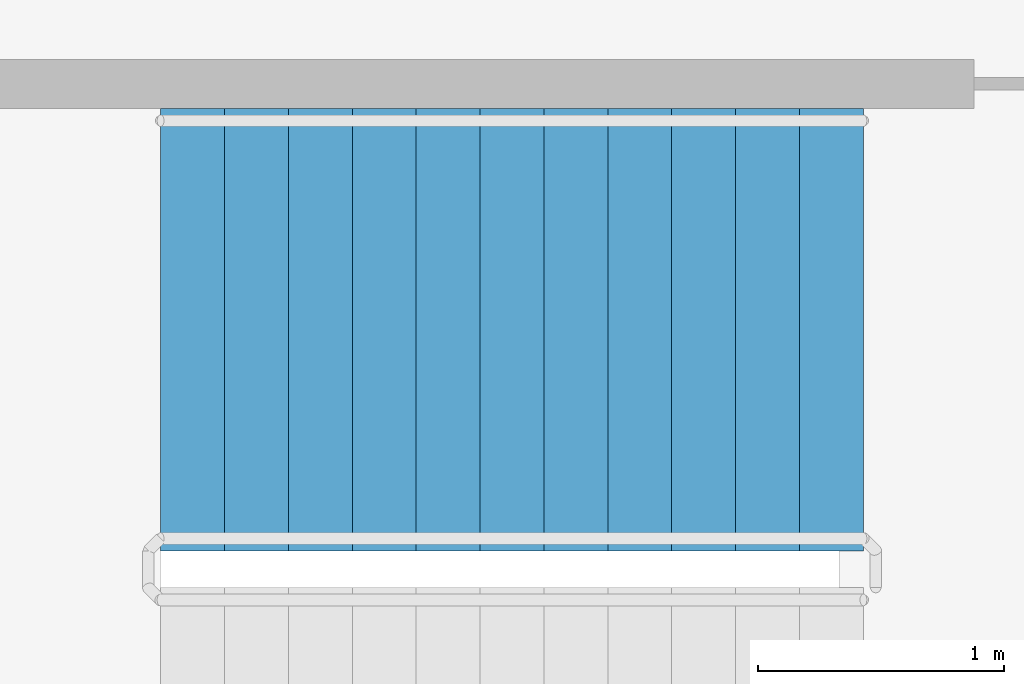
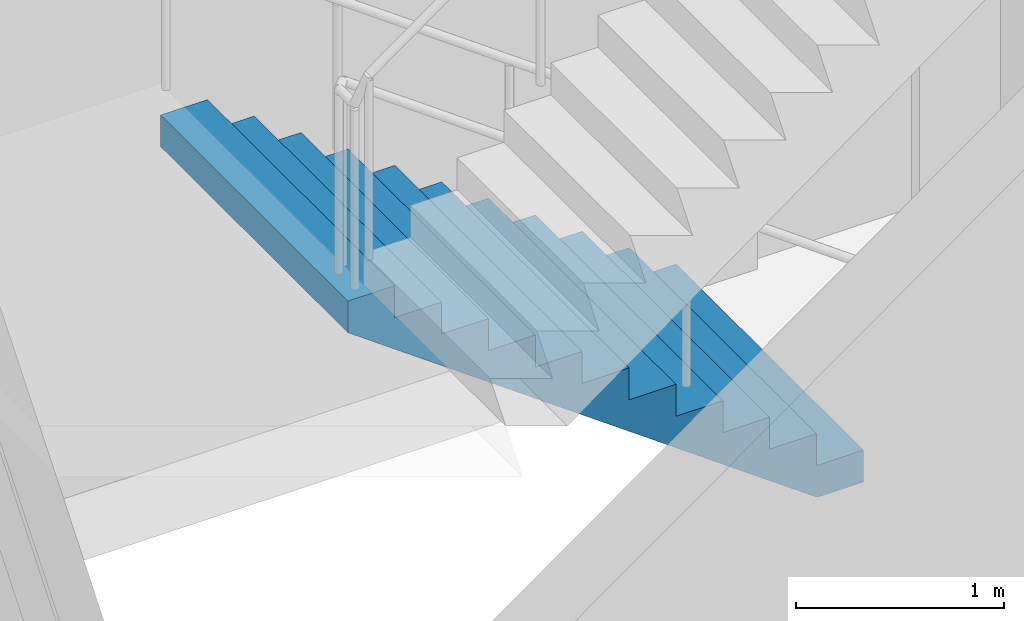
# One storey, part 43 of 49: 1 stair flight, 1 element without a shape of its own.
"""IFC4 building model written with IfcOpenShell, lengths in metres."""

from ifc_helpers import new_model, si_unit, direction, frame, origin, place, context, subcontext, project, spatial, faceted_brep, material, type_object, element, aggregate, save


model = new_model("IFC4")

# Units and contexts
model_context = context("Model", 3, precision=1e-05, world=origin(), true_north=direction((0.0, 1.0)))
body_context = subcontext(model_context, "Body", "Model", "MODEL_VIEW")
ifc_project = project(units=[si_unit("LENGTHUNIT", "METRE"), si_unit("AREAUNIT", "SQUARE_METRE"), si_unit("VOLUMEUNIT", "CUBIC_METRE"), si_unit("PLANEANGLEUNIT", "RADIAN"), si_unit("MASSUNIT", "GRAM", prefix="KILO")], contexts=[model_context])

# Site, building, storey
site_placement = place(None, origin())
site = spatial("IfcSite", under=ifc_project, at=site_placement, CompositionType="ELEMENT")
building_placement = place(site_placement, origin())
building = spatial("IfcBuilding", under=site, at=building_placement, Name="Ipe Terrace Towers", CompositionType="ELEMENT")
storey_placement = place(building_placement, frame((0.0, 0.0, 20.0)))
storey = spatial("IfcBuildingStorey", under=building, at=storey_placement, Name="L04", CompositionType="ELEMENT", Elevation=20.0)

# Stair, stair flight
ifc_material_1 = material(Name="Concrete C30/37", Category="concrete")
stair_type = type_object("IfcStairType", Name="Protected exit stair", PredefinedType="HALF_TURN_STAIR", material=ifc_material_1)
stair_placement = place(storey_placement, origin())
stair = element("IfcStair", 1, at=stair_placement, inside=storey, type_object=stair_type, Name="L04 Podium exit stair PS3", PredefinedType="HALF_TURN_STAIR")
ifc_material_2 = material(Name="Concrete C30/37", Category="concrete")
stair_flight_type = type_object("IfcStairFlightType", Name="Exit stair flight 1800", PredefinedType="STRAIGHT", material=ifc_material_2)
stair_flight_placement = place(storey_placement, frame((52.77001953125, 25.5, 0.0), z_axis=(0.0, 0.0, 1.0), x_axis=(-1.0, 0.0, 0.0)))
stair_flight = element("IfcStairFlight", 2, at=stair_flight_placement, type_object=stair_flight_type, Name="PS3 flight 1", NumberOfRisers=12, NumberOfTreads=11, PredefinedType="STRAIGHT", RiserHeight=0.1875, TreadLength=0.26, context=body_context, shape_type="Brep", body=[
    faceted_brep([(0.25634765625, -0.89990234375, 0.0), (2.860107421875, -0.89990234375, 1.877685546875), (2.860107421875, -0.89990234375, 2.0625), (2.60009765625, -0.89990234375, 2.0625), (2.60009765625, -0.89990234375, 1.875), (2.340087890625, -0.89990234375, 1.875), (2.340087890625, -0.89990234375, 1.6875), (2.080078125, -0.89990234375, 1.6875), (2.080078125, -0.89990234375, 1.5), (1.820068359375, -0.89990234375, 1.5), (1.820068359375, -0.89990234375, 1.3125), (1.56005859375, -0.89990234375, 1.3125), (1.56005859375, -0.89990234375, 1.125), (1.300048828125, -0.89990234375, 1.125), (1.300048828125, -0.89990234375, 0.9375), (1.0400390625, -0.89990234375, 0.9375), (1.0400390625, -0.89990234375, 0.75), (0.780029296875, -0.89990234375, 0.75), (0.780029296875, -0.89990234375, 0.5625), (0.52001953125, -0.89990234375, 0.5625), (0.52001953125, -0.89990234375, 0.375), (0.260009765625, -0.89990234375, 0.375), (0.260009765625, -0.89990234375, 0.1875), (0.0, -0.89990234375, 0.1875), (0.0, -0.89990234375, 0.0), (0.0, 0.89990234375, 0.0), (0.0, 0.89990234375, 0.1875), (0.260009765625, 0.89990234375, 0.1875), (0.260009765625, 0.89990234375, 0.375), (0.52001953125, 0.89990234375, 0.375), (0.52001953125, 0.89990234375, 0.5625), (0.780029296875, 0.89990234375, 0.5625), (0.780029296875, 0.89990234375, 0.75), (1.0400390625, 0.89990234375, 0.75), (1.0400390625, 0.89990234375, 0.9375), (1.300048828125, 0.89990234375, 0.9375), (1.300048828125, 0.89990234375, 1.125), (1.56005859375, 0.89990234375, 1.125), (1.56005859375, 0.89990234375, 1.3125), (1.820068359375, 0.89990234375, 1.3125), (1.820068359375, 0.89990234375, 1.5), (2.080078125, 0.89990234375, 1.5), (2.080078125, 0.89990234375, 1.6875), (2.340087890625, 0.89990234375, 1.6875), (2.340087890625, 0.89990234375, 1.875), (2.60009765625, 0.89990234375, 1.875), (2.60009765625, 0.89990234375, 2.0625), (2.860107421875, 0.89990234375, 2.0625), (2.860107421875, 0.89990234375, 1.877685546875), (0.25634765625, 0.89990234375, 0.0), (0.0, -0.300048828125, 0.1875), (0.0, -0.1201171875, 0.1875), (0.0, -0.06005859375, 0.1875), (0.0, -0.030029296875, 0.1875), (0.0, -0.010009765625, 0.1875), (0.0, 0.0, 0.1875), (0.0, 0.010009765625, 0.1875), (0.0, 0.030029296875, 0.1875), (0.0, 0.06005859375, 0.1875), (0.0, 0.1201171875, 0.1875), (0.0, 0.300048828125, 0.1875), (0.0, 0.300048828125, 0.0), (0.0, 0.1201171875, 0.0), (0.0, 0.06005859375, 0.0), (0.0, 0.030029296875, 0.0), (0.0, 0.010009765625, 0.0), (0.0, 0.0, 0.0), (0.0, -0.010009765625, 0.0), (0.0, -0.030029296875, 0.0), (0.0, -0.06005859375, 0.0), (0.0, -0.1201171875, 0.0), (0.0, -0.300048828125, 0.0), (0.260009765625, -0.300048828125, 0.1875), (0.260009765625, -0.1201171875, 0.1875), (0.260009765625, -0.06005859375, 0.1875), (0.260009765625, -0.030029296875, 0.1875), (0.260009765625, -0.010009765625, 0.1875), (0.260009765625, 0.0, 0.1875), (0.260009765625, 0.010009765625, 0.1875), (0.260009765625, 0.030029296875, 0.1875), (0.260009765625, 0.06005859375, 0.1875), (0.260009765625, 0.1201171875, 0.1875), (0.260009765625, 0.300048828125, 0.1875), (0.260009765625, -0.300048828125, 0.375), (0.260009765625, -0.1201171875, 0.375), (0.260009765625, -0.06005859375, 0.375), (0.260009765625, -0.030029296875, 0.375), (0.260009765625, -0.010009765625, 0.375), (0.260009765625, 0.0, 0.375), (0.260009765625, 0.010009765625, 0.375), (0.260009765625, 0.030029296875, 0.375), (0.260009765625, 0.06005859375, 0.375), (0.260009765625, 0.1201171875, 0.375), (0.260009765625, 0.300048828125, 0.375), (0.52001953125, -0.300048828125, 0.375), (0.52001953125, -0.1201171875, 0.375), (0.52001953125, -0.06005859375, 0.375), (0.52001953125, -0.030029296875, 0.375), (0.52001953125, -0.010009765625, 0.375), (0.52001953125, 0.0, 0.375), (0.52001953125, 0.010009765625, 0.375), (0.52001953125, 0.030029296875, 0.375), (0.52001953125, 0.06005859375, 0.375), (0.52001953125, 0.1201171875, 0.375), (0.52001953125, 0.300048828125, 0.375), (0.52001953125, -0.300048828125, 0.5625), (0.52001953125, -0.1201171875, 0.5625), (0.52001953125, -0.06005859375, 0.5625), (0.52001953125, -0.030029296875, 0.5625), (0.52001953125, -0.010009765625, 0.5625), (0.52001953125, 0.0, 0.5625), (0.52001953125, 0.010009765625, 0.5625), (0.52001953125, 0.030029296875, 0.5625), (0.52001953125, 0.06005859375, 0.5625), (0.52001953125, 0.1201171875, 0.5625), (0.52001953125, 0.300048828125, 0.5625), (0.780029296875, -0.300048828125, 0.5625), (0.780029296875, -0.1201171875, 0.5625), (0.780029296875, -0.06005859375, 0.5625), (0.780029296875, -0.030029296875, 0.5625), (0.780029296875, -0.010009765625, 0.5625), (0.780029296875, 0.0, 0.5625), (0.780029296875, 0.010009765625, 0.5625), (0.780029296875, 0.030029296875, 0.5625), (0.780029296875, 0.06005859375, 0.5625), (0.780029296875, 0.1201171875, 0.5625), (0.780029296875, 0.300048828125, 0.5625), (0.780029296875, -0.300048828125, 0.75), (0.780029296875, -0.1201171875, 0.75), (0.780029296875, -0.06005859375, 0.75), (0.780029296875, -0.030029296875, 0.75), (0.780029296875, -0.010009765625, 0.75), (0.780029296875, 0.0, 0.75), (0.780029296875, 0.010009765625, 0.75), (0.780029296875, 0.030029296875, 0.75), (0.780029296875, 0.06005859375, 0.75), (0.780029296875, 0.1201171875, 0.75), (0.780029296875, 0.300048828125, 0.75), (1.0400390625, -0.300048828125, 0.75), (1.0400390625, -0.1201171875, 0.75), (1.0400390625, -0.06005859375, 0.75), (1.0400390625, -0.030029296875, 0.75), (1.0400390625, -0.010009765625, 0.75), (1.0400390625, 0.0, 0.75), (1.0400390625, 0.010009765625, 0.75), (1.0400390625, 0.030029296875, 0.75), (1.0400390625, 0.06005859375, 0.75), (1.0400390625, 0.1201171875, 0.75), (1.0400390625, 0.300048828125, 0.75), (1.0400390625, -0.300048828125, 0.9375), (1.0400390625, -0.1201171875, 0.9375), (1.0400390625, -0.06005859375, 0.9375), (1.0400390625, -0.030029296875, 0.9375), (1.0400390625, -0.010009765625, 0.9375), (1.0400390625, 0.0, 0.9375), (1.0400390625, 0.010009765625, 0.9375), (1.0400390625, 0.030029296875, 0.9375), (1.0400390625, 0.06005859375, 0.9375), (1.0400390625, 0.1201171875, 0.9375), (1.0400390625, 0.300048828125, 0.9375), (1.300048828125, -0.300048828125, 0.9375), (1.300048828125, -0.1201171875, 0.9375), (1.300048828125, -0.06005859375, 0.9375), (1.300048828125, -0.030029296875, 0.9375), (1.300048828125, -0.010009765625, 0.9375), (1.300048828125, 0.0, 0.9375), (1.300048828125, 0.010009765625, 0.9375), (1.300048828125, 0.030029296875, 0.9375), (1.300048828125, 0.06005859375, 0.9375), (1.300048828125, 0.1201171875, 0.9375), (1.300048828125, 0.300048828125, 0.9375), (1.300048828125, -0.300048828125, 1.125), (1.300048828125, -0.1201171875, 1.125), (1.300048828125, -0.06005859375, 1.125), (1.300048828125, -0.030029296875, 1.125), (1.300048828125, -0.010009765625, 1.125), (1.300048828125, 0.0, 1.125), (1.300048828125, 0.010009765625, 1.125), (1.300048828125, 0.030029296875, 1.125), (1.300048828125, 0.06005859375, 1.125), (1.300048828125, 0.1201171875, 1.125), (1.300048828125, 0.300048828125, 1.125), (1.56005859375, -0.300048828125, 1.125), (1.56005859375, -0.1201171875, 1.125), (1.56005859375, -0.06005859375, 1.125), (1.56005859375, -0.030029296875, 1.125), (1.56005859375, -0.010009765625, 1.125), (1.56005859375, 0.0, 1.125), (1.56005859375, 0.010009765625, 1.125), (1.56005859375, 0.030029296875, 1.125), (1.56005859375, 0.06005859375, 1.125), (1.56005859375, 0.1201171875, 1.125), (1.56005859375, 0.300048828125, 1.125), (1.56005859375, -0.300048828125, 1.3125), (1.56005859375, -0.1201171875, 1.3125), (1.56005859375, -0.06005859375, 1.3125), (1.56005859375, -0.030029296875, 1.3125), (1.56005859375, -0.010009765625, 1.3125), (1.56005859375, 0.0, 1.3125), (1.56005859375, 0.010009765625, 1.3125), (1.56005859375, 0.030029296875, 1.3125), (1.56005859375, 0.06005859375, 1.3125), (1.56005859375, 0.1201171875, 1.3125), (1.56005859375, 0.300048828125, 1.3125), (1.820068359375, -0.300048828125, 1.3125), (1.820068359375, -0.1201171875, 1.3125), (1.820068359375, -0.06005859375, 1.3125), (1.820068359375, -0.030029296875, 1.3125), (1.820068359375, -0.010009765625, 1.3125), (1.820068359375, 0.0, 1.3125), (1.820068359375, 0.010009765625, 1.3125), (1.820068359375, 0.030029296875, 1.3125), (1.820068359375, 0.06005859375, 1.3125), (1.820068359375, 0.1201171875, 1.3125), (1.820068359375, 0.300048828125, 1.3125), (1.820068359375, -0.300048828125, 1.5), (1.820068359375, -0.1201171875, 1.5), (1.820068359375, -0.06005859375, 1.5), (1.820068359375, -0.030029296875, 1.5), (1.820068359375, -0.010009765625, 1.5), (1.820068359375, 0.0, 1.5), (1.820068359375, 0.010009765625, 1.5), (1.820068359375, 0.030029296875, 1.5), (1.820068359375, 0.06005859375, 1.5), (1.820068359375, 0.1201171875, 1.5), (1.820068359375, 0.300048828125, 1.5), (2.080078125, -0.300048828125, 1.5), (2.080078125, -0.1201171875, 1.5), (2.080078125, -0.06005859375, 1.5), (2.080078125, -0.030029296875, 1.5), (2.080078125, -0.010009765625, 1.5), (2.080078125, 0.0, 1.5), (2.080078125, 0.010009765625, 1.5), (2.080078125, 0.030029296875, 1.5), (2.080078125, 0.06005859375, 1.5), (2.080078125, 0.1201171875, 1.5), (2.080078125, 0.300048828125, 1.5), (2.080078125, -0.300048828125, 1.6875), (2.080078125, -0.1201171875, 1.6875), (2.080078125, -0.06005859375, 1.6875), (2.080078125, -0.030029296875, 1.6875), (2.080078125, -0.010009765625, 1.6875), (2.080078125, 0.0, 1.6875), (2.080078125, 0.010009765625, 1.6875), (2.080078125, 0.030029296875, 1.6875), (2.080078125, 0.06005859375, 1.6875), (2.080078125, 0.1201171875, 1.6875), (2.080078125, 0.300048828125, 1.6875), (2.340087890625, -0.300048828125, 1.6875), (2.340087890625, -0.1201171875, 1.6875), (2.340087890625, -0.06005859375, 1.6875), (2.340087890625, -0.030029296875, 1.6875), (2.340087890625, -0.010009765625, 1.6875), (2.340087890625, 0.0, 1.6875), (2.340087890625, 0.010009765625, 1.6875), (2.340087890625, 0.030029296875, 1.6875), (2.340087890625, 0.06005859375, 1.6875), (2.340087890625, 0.1201171875, 1.6875), (2.340087890625, 0.300048828125, 1.6875), (2.340087890625, -0.300048828125, 1.875), (2.340087890625, -0.1201171875, 1.875), (2.340087890625, -0.06005859375, 1.875), (2.340087890625, -0.030029296875, 1.875), (2.340087890625, -0.010009765625, 1.875), (2.340087890625, 0.0, 1.875), (2.340087890625, 0.010009765625, 1.875), (2.340087890625, 0.030029296875, 1.875), (2.340087890625, 0.06005859375, 1.875), (2.340087890625, 0.1201171875, 1.875), (2.340087890625, 0.300048828125, 1.875), (2.60009765625, -0.300048828125, 1.875), (2.60009765625, -0.1201171875, 1.875), (2.60009765625, -0.06005859375, 1.875), (2.60009765625, -0.030029296875, 1.875), (2.60009765625, -0.010009765625, 1.875), (2.60009765625, 0.0, 1.875), (2.60009765625, 0.010009765625, 1.875), (2.60009765625, 0.030029296875, 1.875), (2.60009765625, 0.06005859375, 1.875), (2.60009765625, 0.1201171875, 1.875), (2.60009765625, 0.300048828125, 1.875), (2.60009765625, -0.300048828125, 2.0625), (2.60009765625, -0.1201171875, 2.0625), (2.60009765625, -0.06005859375, 2.0625), (2.60009765625, -0.030029296875, 2.0625), (2.60009765625, -0.010009765625, 2.0625), (2.60009765625, 0.0, 2.0625), (2.60009765625, 0.010009765625, 2.0625), (2.60009765625, 0.030029296875, 2.0625), (2.60009765625, 0.06005859375, 2.0625), (2.60009765625, 0.1201171875, 2.0625), (2.60009765625, 0.300048828125, 2.0625), (2.860107421875, -0.300048828125, 2.0625), (2.860107421875, -0.1201171875, 2.0625), (2.860107421875, -0.06005859375, 2.0625), (2.860107421875, -0.030029296875, 2.0625), (2.860107421875, -0.010009765625, 2.0625), (2.860107421875, 0.0, 2.0625), (2.860107421875, 0.010009765625, 2.0625), (2.860107421875, 0.030029296875, 2.0625), (2.860107421875, 0.06005859375, 2.0625), (2.860107421875, 0.1201171875, 2.0625), (2.860107421875, 0.300048828125, 2.0625), (2.860107421875, -0.300048828125, 1.877685546875), (2.860107421875, -0.1201171875, 1.877685546875), (2.860107421875, -0.06005859375, 1.877685546875), (2.860107421875, -0.030029296875, 1.877685546875), (2.860107421875, -0.010009765625, 1.877685546875), (2.860107421875, 0.0, 1.877685546875), (2.860107421875, 0.010009765625, 1.877685546875), (2.860107421875, 0.030029296875, 1.877685546875), (2.860107421875, 0.06005859375, 1.877685546875), (2.860107421875, 0.1201171875, 1.877685546875), (2.860107421875, 0.300048828125, 1.877685546875), (0.25634765625, -0.300048828125, 0.0), (0.25634765625, -0.1201171875, 0.0), (0.25634765625, -0.06005859375, 0.0), (0.25634765625, -0.030029296875, 0.0), (0.25634765625, -0.010009765625, 0.0), (0.25634765625, 0.0, 0.0), (0.25634765625, 0.010009765625, 0.0), (0.25634765625, 0.030029296875, 0.0), (0.25634765625, 0.06005859375, 0.0), (0.25634765625, 0.1201171875, 0.0), (0.25634765625, 0.300048828125, 0.0)], [[[0, 1, 2, 3, 4, 5, 6, 7, 8, 9, 10, 11, 12, 13, 14, 15, 16, 17, 18, 19, 20, 21, 22, 23, 24]], [[25, 26, 27, 28, 29, 30, 31, 32, 33, 34, 35, 36, 37, 38, 39, 40, 41, 42, 43, 44, 45, 46, 47, 48, 49]], [[23, 50, 51, 52, 53, 54, 55, 56, 57, 58, 59, 60, 26, 25, 61, 62, 63, 64, 65, 66, 67, 68, 69, 70, 71, 24]], [[22, 72, 73, 74, 75, 76, 77, 78, 79, 80, 81, 82, 27, 26, 60, 59, 58, 57, 56, 55, 54, 53, 52, 51, 50, 23]], [[21, 83, 84, 85, 86, 87, 88, 89, 90, 91, 92, 93, 28, 27, 82, 81, 80, 79, 78, 77, 76, 75, 74, 73, 72, 22]], [[20, 94, 95, 96, 97, 98, 99, 100, 101, 102, 103, 104, 29, 28, 93, 92, 91, 90, 89, 88, 87, 86, 85, 84, 83, 21]], [[19, 105, 106, 107, 108, 109, 110, 111, 112, 113, 114, 115, 30, 29, 104, 103, 102, 101, 100, 99, 98, 97, 96, 95, 94, 20]], [[18, 116, 117, 118, 119, 120, 121, 122, 123, 124, 125, 126, 31, 30, 115, 114, 113, 112, 111, 110, 109, 108, 107, 106, 105, 19]], [[17, 127, 128, 129, 130, 131, 132, 133, 134, 135, 136, 137, 32, 31, 126, 125, 124, 123, 122, 121, 120, 119, 118, 117, 116, 18]], [[16, 138, 139, 140, 141, 142, 143, 144, 145, 146, 147, 148, 33, 32, 137, 136, 135, 134, 133, 132, 131, 130, 129, 128, 127, 17]], [[15, 149, 150, 151, 152, 153, 154, 155, 156, 157, 158, 159, 34, 33, 148, 147, 146, 145, 144, 143, 142, 141, 140, 139, 138, 16]], [[14, 160, 161, 162, 163, 164, 165, 166, 167, 168, 169, 170, 35, 34, 159, 158, 157, 156, 155, 154, 153, 152, 151, 150, 149, 15]], [[13, 171, 172, 173, 174, 175, 176, 177, 178, 179, 180, 181, 36, 35, 170, 169, 168, 167, 166, 165, 164, 163, 162, 161, 160, 14]], [[12, 182, 183, 184, 185, 186, 187, 188, 189, 190, 191, 192, 37, 36, 181, 180, 179, 178, 177, 176, 175, 174, 173, 172, 171, 13]], [[11, 193, 194, 195, 196, 197, 198, 199, 200, 201, 202, 203, 38, 37, 192, 191, 190, 189, 188, 187, 186, 185, 184, 183, 182, 12]], [[10, 204, 205, 206, 207, 208, 209, 210, 211, 212, 213, 214, 39, 38, 203, 202, 201, 200, 199, 198, 197, 196, 195, 194, 193, 11]], [[9, 215, 216, 217, 218, 219, 220, 221, 222, 223, 224, 225, 40, 39, 214, 213, 212, 211, 210, 209, 208, 207, 206, 205, 204, 10]], [[8, 226, 227, 228, 229, 230, 231, 232, 233, 234, 235, 236, 41, 40, 225, 224, 223, 222, 221, 220, 219, 218, 217, 216, 215, 9]], [[7, 237, 238, 239, 240, 241, 242, 243, 244, 245, 246, 247, 42, 41, 236, 235, 234, 233, 232, 231, 230, 229, 228, 227, 226, 8]], [[6, 248, 249, 250, 251, 252, 253, 254, 255, 256, 257, 258, 43, 42, 247, 246, 245, 244, 243, 242, 241, 240, 239, 238, 237, 7]], [[5, 259, 260, 261, 262, 263, 264, 265, 266, 267, 268, 269, 44, 43, 258, 257, 256, 255, 254, 253, 252, 251, 250, 249, 248, 6]], [[4, 270, 271, 272, 273, 274, 275, 276, 277, 278, 279, 280, 45, 44, 269, 268, 267, 266, 265, 264, 263, 262, 261, 260, 259, 5]], [[3, 281, 282, 283, 284, 285, 286, 287, 288, 289, 290, 291, 46, 45, 280, 279, 278, 277, 276, 275, 274, 273, 272, 271, 270, 4]], [[2, 292, 293, 294, 295, 296, 297, 298, 299, 300, 301, 302, 47, 46, 291, 290, 289, 288, 287, 286, 285, 284, 283, 282, 281, 3]], [[1, 303, 304, 305, 306, 307, 308, 309, 310, 311, 312, 313, 48, 47, 302, 301, 300, 299, 298, 297, 296, 295, 294, 293, 292, 2]], [[0, 314, 315, 316, 317, 318, 319, 320, 321, 322, 323, 324, 49, 48, 313, 312, 311, 310, 309, 308, 307, 306, 305, 304, 303, 1]], [[24, 71, 70, 69, 68, 67, 66, 65, 64, 63, 62, 61, 25, 49, 324, 323, 322, 321, 320, 319, 318, 317, 316, 315, 314, 0]]]),
])
aggregate(stair, [stair_flight])

save(model, "model.ifc")
